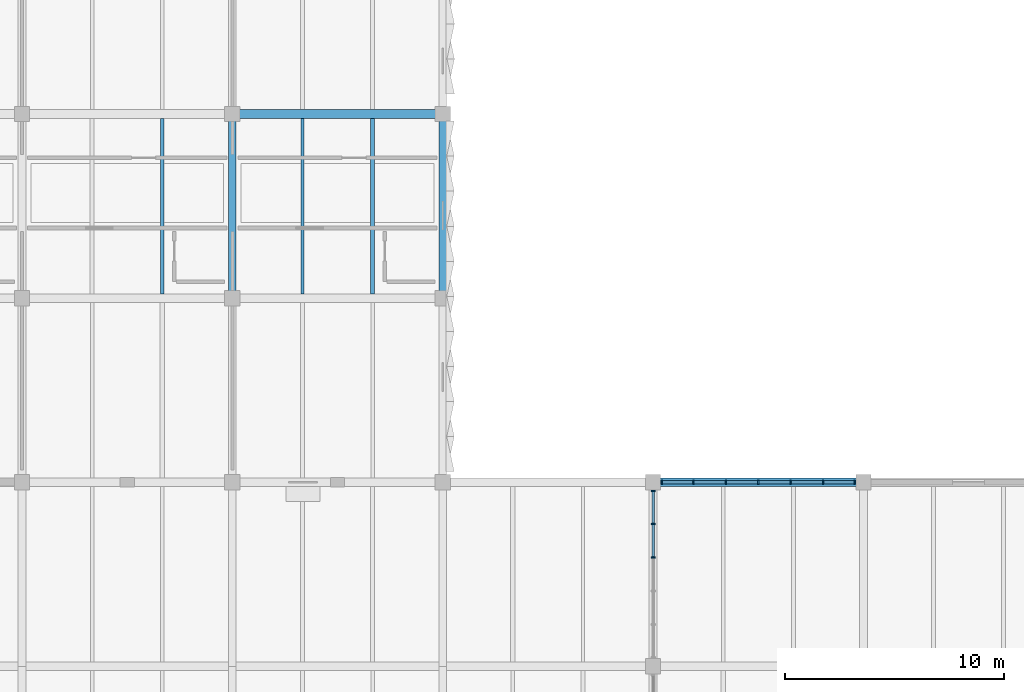
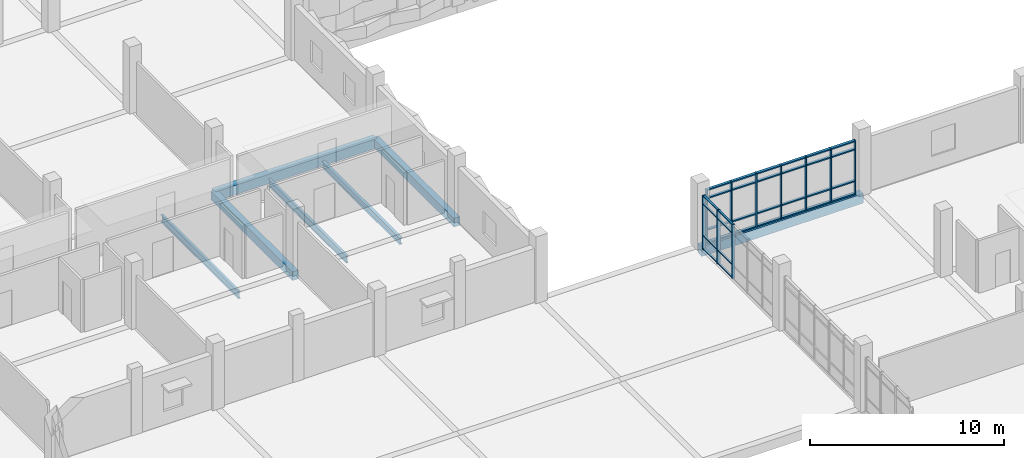
# One storey, part 22 of 57: 42 members, 7 beams, 2 elements without a shape of their own.
"""IFC4 building model written with IfcOpenShell, lengths in metres."""

from ifc_helpers import new_model, si_unit, direction, frame, origin, origin_2d, place, context, subcontext, project, spatial, rectangle, i_section, extrude, material, material_profile, profile_set, type_object, element, aggregate, save


model = new_model("IFC4")

# Units and contexts
model_context = context("Model", 3, precision=1e-05, world=origin(), true_north=direction((0.0, 1.0)))
body_context = subcontext(model_context, "Body", "Model", "MODEL_VIEW")
ifc_project = project(units=[si_unit("LENGTHUNIT", "METRE"), si_unit("AREAUNIT", "SQUARE_METRE"), si_unit("VOLUMEUNIT", "CUBIC_METRE"), si_unit("PLANEANGLEUNIT", "RADIAN"), si_unit("MASSUNIT", "GRAM", prefix="KILO")], contexts=[model_context])

# Site, building, storey
site_placement = place(None, origin())
site = spatial("IfcSite", under=ifc_project, at=site_placement, CompositionType="ELEMENT")
building_placement = place(site_placement, origin())
building = spatial("IfcBuilding", under=site, at=building_placement, Name="Oolite Switchyard Hospital", CompositionType="ELEMENT")
storey_placement = place(building_placement, frame((0.0, 0.0, 17.800048828125)))
storey = spatial("IfcBuildingStorey", under=building, at=storey_placement, Name="L04", CompositionType="ELEMENT", Elevation=17.800048828125)

# Beams
ifc_material_1 = material(Name="Concrete C40/50", Category="concrete")
ifc_material_profile_1 = material_profile(ifc_material_1, rectangle(XDim=0.35009765625, YDim=0.550048828125, at=origin_2d()), Name="RCB350X550")
ifc_profile_set_1 = profile_set([ifc_material_profile_1], Name="Concrete C40/50")
beam_type_1 = type_object("IfcBeamType", Name="BM-RC350X550", PredefinedType="BEAM", material=ifc_profile_set_1)
for number, where, z_axis, x_axis, name in (
    (1, (163.199951171875, 84.0, -0.275146484375), (0.0, 1.0, 0.0), (-1.0, 0.0, 0.0), "L04 Y-Girder 3022"),
    (2, (172.800048828125, 84.0, -0.275146484375), (0.0, 1.0, 0.0), (-1.0, 0.0, 0.0), "L04 Y-Girder 3033"),
):
    element("IfcBeam", number, at=place(storey_placement, frame(where, z_axis=z_axis, x_axis=x_axis)), inside=storey, type_object=beam_type_1, Name=name, PredefinedType="BEAM", context=body_context, shape_type="SweptSolid", body=[
        extrude(rectangle(XDim=0.35009765625, YDim=0.550048828125, at=origin_2d()), origin(), (0.0, 0.0, 1.0), 8.39990234375),
    ])
ifc_material_profile_2 = material_profile(ifc_material_1, rectangle(XDim=0.39990234375, YDim=0.60009765625, at=origin_2d()), Name="RCB400X600")
ifc_profile_set_2 = profile_set([ifc_material_profile_2], Name="Concrete C40/50")
beam_type_2 = type_object("IfcBeamType", Name="BM-RC400X600", PredefinedType="BEAM", material=ifc_profile_set_2)
for number, where, z_axis, x_axis, name in (
    (3, (182.39990234375, 75.60009765625, -0.300048828125), (1.0, 0.0, 0.0), (0.0, 1.0, 0.0), "L04 X-Girder 2829"),
    (4, (163.199951171875, 92.39990234375, -0.300048828125), (1.0, 0.0, 0.0), (0.0, 1.0, 0.0), "L04 X-Girder 2857"),
):
    element("IfcBeam", number, at=place(storey_placement, frame(where, z_axis=z_axis, x_axis=x_axis)), inside=storey, type_object=beam_type_2, Name=name, PredefinedType="BEAM", context=body_context, shape_type="SweptSolid", body=[
        extrude(rectangle(XDim=0.39990234375, YDim=0.60009765625, at=origin_2d()), origin(), (0.0, 0.0, 1.0), 9.60009765625),
    ])
ifc_material_2 = material(Name="Steel ASTM A992 Grade 50", Category="steel")
ifc_material_profile_3 = material_profile(ifc_material_2, i_section(OverallWidth=0.179931640625, OverallDepth=0.4130859375, WebThickness=0.010009765625, FlangeThickness=0.01611328125, at=origin_2d()), Name="W16X50")
ifc_profile_set_3 = profile_set([ifc_material_profile_3], Name="Steel ASTM A992 Grade 50")
beam_type_3 = type_object("IfcBeamType", Name="BM-W16X50", PredefinedType="JOIST", material=ifc_profile_set_3)
beam_placement = place(storey_placement, frame((169.60009765625, 84.199951171875, -0.48095703125), z_axis=(0.0, 1.0, 0.0), x_axis=(-1.0, 0.0, 0.0)))
element("IfcBeam", 5, at=beam_placement, inside=storey, type_object=beam_type_3, Name="L04 Secondary Steel Joist 3246", PredefinedType="JOIST", context=body_context, shape_type="SweptSolid", body=[
    extrude(i_section(OverallWidth=0.179931640625, OverallDepth=0.4130859375, WebThickness=0.010009765625, FlangeThickness=0.01611328125, at=origin_2d()), origin(), (0.0, 0.0, 1.0), 8.0),
])
ifc_material_profile_4 = material_profile(ifc_material_2, i_section(OverallWidth=0.153076171875, OverallDepth=0.455078125, WebThickness=0.008056640625, FlangeThickness=0.012939453125, at=origin_2d()), Name="W18X40")
ifc_profile_set_4 = profile_set([ifc_material_profile_4], Name="Steel ASTM A992 Grade 50")
beam_type_4 = type_object("IfcBeamType", Name="BM-W18X40", PredefinedType="JOIST", material=ifc_profile_set_4)
for number, where, z_axis, x_axis, name in (
    (6, (160.0, 84.199951171875, -0.501953125), (0.0, 1.0, 0.0), (-1.0, 0.0, 0.0), "L04 Secondary Steel Joist 3226"),
    (7, (166.39990234375, 84.199951171875, -0.501953125), (0.0, 1.0, 0.0), (-1.0, 0.0, 0.0), "L04 Secondary Steel Joist 3245"),
):
    element("IfcBeam", number, at=place(storey_placement, frame(where, z_axis=z_axis, x_axis=x_axis)), inside=storey, type_object=beam_type_4, Name=name, PredefinedType="JOIST", context=body_context, shape_type="SweptSolid", body=[
        extrude(i_section(OverallWidth=0.153076171875, OverallDepth=0.455078125, WebThickness=0.008056640625, FlangeThickness=0.012939453125, at=origin_2d()), origin(), (0.0, 0.0, 1.0), 8.0),
    ])

# Curtain wall, members
ifc_material_3 = material(Name="Thermally broken aluminum frame with laminated impact glazing", Category="aluminium")
curtain_wall_type_1 = type_object("IfcCurtainWallType", Name="CW-UNIT-96X42", PredefinedType="USERDEFINED", material=ifc_material_3)
curtain_wall_1_placement = place(storey_placement, origin())
curtain_wall_1 = element("IfcCurtainWall", 8, at=curtain_wall_1_placement, inside=storey, type_object=curtain_wall_type_1, Name="L04 Unitised Curtain Wall 363", ObjectType="UNITISED", PredefinedType="USERDEFINED")
ifc_material_4 = material(Name="Aluminium 6063-T6", Category="aluminium")
ifc_material_profile_5 = material_profile(ifc_material_4, rectangle(XDim=0.179931640625, YDim=0.070068359375, at=origin_2d()), Name="CWM70X180")
ifc_profile_set_5 = profile_set([ifc_material_profile_5], Name="Aluminium 6063-T6")
member_type_1 = type_object("IfcMemberType", Name="CW-MUL-220", PredefinedType="MULLION", material=ifc_profile_set_5)
member_1_placement = place(storey_placement, frame((182.800048828125, 75.60009765625, 0.0), z_axis=(0.0, 0.0, 1.0), x_axis=(0.0, 1.0, 0.0)))
member_1 = element("IfcMember", 9, at=member_1_placement, type_object=member_type_1, Name="CW-05 mullion 1", PredefinedType="MULLION", context=body_context, shape_type="SweptSolid", body=[
    extrude(rectangle(XDim=0.179931640625, YDim=0.070068359375, at=origin_2d()), origin(), (0.0, 0.0, 1.0), 3.389892578125),
])
member_2_placement = place(storey_placement, frame((184.243408203125, 75.60009765625, 0.0), z_axis=(0.0, 0.0, 1.0), x_axis=(0.0, 1.0, 0.0)))
member_2 = element("IfcMember", 10, at=member_2_placement, type_object=member_type_1, Name="CW-05 mullion 2", PredefinedType="MULLION", context=body_context, shape_type="SweptSolid", body=[
    extrude(rectangle(XDim=0.179931640625, YDim=0.070068359375, at=origin_2d()), origin(), (0.0, 0.0, 1.0), 3.389892578125),
])
member_3_placement = place(storey_placement, frame((185.7216796875, 75.60009765625, 0.0), z_axis=(0.0, 0.0, 1.0), x_axis=(0.0, 1.0, 0.0)))
member_3 = element("IfcMember", 11, at=member_3_placement, type_object=member_type_1, Name="CW-05 mullion 3", PredefinedType="MULLION", context=body_context, shape_type="SweptSolid", body=[
    extrude(rectangle(XDim=0.179931640625, YDim=0.070068359375, at=origin_2d()), origin(), (0.0, 0.0, 1.0), 3.389892578125),
])
member_4_placement = place(storey_placement, frame((187.199951171875, 75.60009765625, 0.0), z_axis=(0.0, 0.0, 1.0), x_axis=(0.0, 1.0, 0.0)))
member_4 = element("IfcMember", 12, at=member_4_placement, type_object=member_type_1, Name="CW-05 mullion 4", PredefinedType="MULLION", context=body_context, shape_type="SweptSolid", body=[
    extrude(rectangle(XDim=0.179931640625, YDim=0.070068359375, at=origin_2d()), origin(), (0.0, 0.0, 1.0), 3.389892578125),
])
member_5_placement = place(storey_placement, frame((188.67822265625, 75.60009765625, 0.0), z_axis=(0.0, 0.0, 1.0), x_axis=(0.0, 1.0, 0.0)))
member_5 = element("IfcMember", 13, at=member_5_placement, type_object=member_type_1, Name="CW-05 mullion 5", PredefinedType="MULLION", context=body_context, shape_type="SweptSolid", body=[
    extrude(rectangle(XDim=0.179931640625, YDim=0.070068359375, at=origin_2d()), origin(), (0.0, 0.0, 1.0), 3.389892578125),
])
member_6_placement = place(storey_placement, frame((190.15673828125, 75.60009765625, 0.0), z_axis=(0.0, 0.0, 1.0), x_axis=(0.0, 1.0, 0.0)))
member_6 = element("IfcMember", 14, at=member_6_placement, type_object=member_type_1, Name="CW-05 mullion 6", PredefinedType="MULLION", context=body_context, shape_type="SweptSolid", body=[
    extrude(rectangle(XDim=0.179931640625, YDim=0.070068359375, at=origin_2d()), origin(), (0.0, 0.0, 1.0), 3.389892578125),
])
member_7_placement = place(storey_placement, frame((191.60009765625, 75.60009765625, 0.0), z_axis=(0.0, 0.0, 1.0), x_axis=(0.0, 1.0, 0.0)))
member_7 = element("IfcMember", 15, at=member_7_placement, type_object=member_type_1, Name="CW-05 mullion 7", PredefinedType="MULLION", context=body_context, shape_type="SweptSolid", body=[
    extrude(rectangle(XDim=0.179931640625, YDim=0.070068359375, at=origin_2d()), origin(), (0.0, 0.0, 1.0), 3.389892578125),
])

curtain_wall_type_2 = type_object("IfcCurtainWallType", Name="CW-UNIT-84X42", PredefinedType="USERDEFINED", material=ifc_material_3)
curtain_wall_2_placement = place(storey_placement, origin())
curtain_wall_2 = element("IfcCurtainWall", 16, at=curtain_wall_2_placement, inside=storey, type_object=curtain_wall_type_2, Name="L04 Unitised Curtain Wall 378", ObjectType="UNITISED", PredefinedType="USERDEFINED")
member_8_placement = place(storey_placement, frame((182.39990234375, 72.1669921875, 0.0), z_axis=(0.0, 0.0, 1.0), x_axis=(-1.0, 0.0, 0.0)))
member_8 = element("IfcMember", 17, at=member_8_placement, type_object=member_type_1, Name="CW-10 mullion 4", PredefinedType="MULLION", context=body_context, shape_type="SweptSolid", body=[
    extrude(rectangle(XDim=0.179931640625, YDim=0.070068359375, at=origin_2d()), origin(), (0.0, 0.0, 1.0), 3.389892578125),
])
member_9_placement = place(storey_placement, frame((182.39990234375, 73.700927734375, 0.0), z_axis=(0.0, 0.0, 1.0), x_axis=(-1.0, 0.0, 0.0)))
member_9 = element("IfcMember", 18, at=member_9_placement, type_object=member_type_1, Name="CW-10 mullion 5", PredefinedType="MULLION", context=body_context, shape_type="SweptSolid", body=[
    extrude(rectangle(XDim=0.179931640625, YDim=0.070068359375, at=origin_2d()), origin(), (0.0, 0.0, 1.0), 3.389892578125),
])
member_10_placement = place(storey_placement, frame((182.39990234375, 75.199951171875, 0.0), z_axis=(0.0, 0.0, 1.0), x_axis=(-1.0, 0.0, 0.0)))
member_10 = element("IfcMember", 19, at=member_10_placement, type_object=member_type_1, Name="CW-10 mullion 6", PredefinedType="MULLION", context=body_context, shape_type="SweptSolid", body=[
    extrude(rectangle(XDim=0.179931640625, YDim=0.070068359375, at=origin_2d()), origin(), (0.0, 0.0, 1.0), 3.389892578125),
])
ifc_material_profile_6 = material_profile(ifc_material_4, rectangle(XDim=0.1201171875, YDim=0.06005859375, at=origin_2d()), Name="CWT60X120")
ifc_profile_set_6 = profile_set([ifc_material_profile_6], Name="Aluminium 6063-T6")
member_type_2 = type_object("IfcMemberType", Name="CW-TRN-150", PredefinedType="USERDEFINED", material=ifc_profile_set_6)
member_11_placement = place(storey_placement, frame((182.39990234375, 72.201904296875, 0.030029296875), z_axis=(0.0, 1.0, 0.0), x_axis=(-1.0, 0.0, 0.0)))
member_11 = element("IfcMember", 20, at=member_11_placement, type_object=member_type_2, Name="CW-10 transom 4.1", ObjectType="TRANSOM", PredefinedType="USERDEFINED", context=body_context, shape_type="SweptSolid", body=[
    extrude(rectangle(XDim=0.1201171875, YDim=0.06005859375, at=origin_2d()), origin(), (0.0, 0.0, 1.0), 1.464111328125),
])
member_12_placement = place(storey_placement, frame((182.39990234375, 72.201904296875, 0.849853515625), z_axis=(0.0, 1.0, 0.0), x_axis=(-1.0, 0.0, 0.0)))
member_12 = element("IfcMember", 21, at=member_12_placement, type_object=member_type_2, Name="CW-10 transom 4.2", ObjectType="TRANSOM", PredefinedType="USERDEFINED", context=body_context, shape_type="SweptSolid", body=[
    extrude(rectangle(XDim=0.1201171875, YDim=0.06005859375, at=origin_2d()), origin(), (0.0, 0.0, 1.0), 1.464111328125),
])
member_13_placement = place(storey_placement, frame((182.39990234375, 72.201904296875, 2.83984375), z_axis=(0.0, 1.0, 0.0), x_axis=(-1.0, 0.0, 0.0)))
member_13 = element("IfcMember", 22, at=member_13_placement, type_object=member_type_2, Name="CW-10 transom 4.3", ObjectType="TRANSOM", PredefinedType="USERDEFINED", context=body_context, shape_type="SweptSolid", body=[
    extrude(rectangle(XDim=0.1201171875, YDim=0.06005859375, at=origin_2d()), origin(), (0.0, 0.0, 1.0), 1.464111328125),
])
member_14_placement = place(storey_placement, frame((182.39990234375, 72.201904296875, 3.35986328125), z_axis=(0.0, 1.0, 0.0), x_axis=(-1.0, 0.0, 0.0)))
member_14 = element("IfcMember", 23, at=member_14_placement, type_object=member_type_2, Name="CW-10 transom 4.4", ObjectType="TRANSOM", PredefinedType="USERDEFINED", context=body_context, shape_type="SweptSolid", body=[
    extrude(rectangle(XDim=0.1201171875, YDim=0.06005859375, at=origin_2d()), origin(), (0.0, 0.0, 1.0), 1.464111328125),
])
member_15_placement = place(storey_placement, frame((182.39990234375, 73.736083984375, 0.030029296875), z_axis=(0.0, 1.0, 0.0), x_axis=(-1.0, 0.0, 0.0)))
member_15 = element("IfcMember", 24, at=member_15_placement, type_object=member_type_2, Name="CW-10 transom 5.1", ObjectType="TRANSOM", PredefinedType="USERDEFINED", context=body_context, shape_type="SweptSolid", body=[
    extrude(rectangle(XDim=0.1201171875, YDim=0.06005859375, at=origin_2d()), origin(), (0.0, 0.0, 1.0), 1.428955078125),
])
member_16_placement = place(storey_placement, frame((182.39990234375, 73.736083984375, 0.849853515625), z_axis=(0.0, 1.0, 0.0), x_axis=(-1.0, 0.0, 0.0)))
member_16 = element("IfcMember", 25, at=member_16_placement, type_object=member_type_2, Name="CW-10 transom 5.2", ObjectType="TRANSOM", PredefinedType="USERDEFINED", context=body_context, shape_type="SweptSolid", body=[
    extrude(rectangle(XDim=0.1201171875, YDim=0.06005859375, at=origin_2d()), origin(), (0.0, 0.0, 1.0), 1.428955078125),
])
member_17_placement = place(storey_placement, frame((182.39990234375, 73.736083984375, 2.83984375), z_axis=(0.0, 1.0, 0.0), x_axis=(-1.0, 0.0, 0.0)))
member_17 = element("IfcMember", 26, at=member_17_placement, type_object=member_type_2, Name="CW-10 transom 5.3", ObjectType="TRANSOM", PredefinedType="USERDEFINED", context=body_context, shape_type="SweptSolid", body=[
    extrude(rectangle(XDim=0.1201171875, YDim=0.06005859375, at=origin_2d()), origin(), (0.0, 0.0, 1.0), 1.428955078125),
])
member_18_placement = place(storey_placement, frame((182.39990234375, 73.736083984375, 3.35986328125), z_axis=(0.0, 1.0, 0.0), x_axis=(-1.0, 0.0, 0.0)))
member_18 = element("IfcMember", 27, at=member_18_placement, type_object=member_type_2, Name="CW-10 transom 5.4", ObjectType="TRANSOM", PredefinedType="USERDEFINED", context=body_context, shape_type="SweptSolid", body=[
    extrude(rectangle(XDim=0.1201171875, YDim=0.06005859375, at=origin_2d()), origin(), (0.0, 0.0, 1.0), 1.428955078125),
])
aggregate(curtain_wall_2, [member_8, member_9, member_10, member_11, member_12, member_13, member_14, member_15, member_16, member_17, member_18])

# Member
ifc_material_profile_7 = material_profile(ifc_material_4, rectangle(XDim=0.159912109375, YDim=0.074951171875, at=origin_2d()), Name="CWT75X160")
ifc_profile_set_7 = profile_set([ifc_material_profile_7], Name="Aluminium 6063-T6")
member_type_3 = type_object("IfcMemberType", Name="CW-TRN-180", PredefinedType="USERDEFINED", material=ifc_profile_set_7)
member_19_placement = place(storey_placement, frame((182.8349609375, 75.60009765625, 0.037353515625), z_axis=(1.0, 0.0, 0.0), x_axis=(0.0, 1.0, 0.0)))
member_19 = element("IfcMember", 28, at=member_19_placement, type_object=member_type_3, Name="CW-05 transom 1.1", ObjectType="TRANSOM", PredefinedType="USERDEFINED", context=body_context, shape_type="SweptSolid", body=[
    extrude(rectangle(XDim=0.159912109375, YDim=0.074951171875, at=origin_2d()), origin(), (0.0, 0.0, 1.0), 1.373291015625),
])

member_20_placement = place(storey_placement, frame((182.8349609375, 75.60009765625, 0.849853515625), z_axis=(1.0, 0.0, 0.0), x_axis=(0.0, 1.0, 0.0)))
member_20 = element("IfcMember", 29, at=member_20_placement, type_object=member_type_3, Name="CW-05 transom 1.2", ObjectType="TRANSOM", PredefinedType="USERDEFINED", context=body_context, shape_type="SweptSolid", body=[
    extrude(rectangle(XDim=0.159912109375, YDim=0.074951171875, at=origin_2d()), origin(), (0.0, 0.0, 1.0), 1.373291015625),
])

member_21_placement = place(storey_placement, frame((182.8349609375, 75.60009765625, 2.83984375), z_axis=(1.0, 0.0, 0.0), x_axis=(0.0, 1.0, 0.0)))
member_21 = element("IfcMember", 30, at=member_21_placement, type_object=member_type_3, Name="CW-05 transom 1.3", ObjectType="TRANSOM", PredefinedType="USERDEFINED", context=body_context, shape_type="SweptSolid", body=[
    extrude(rectangle(XDim=0.159912109375, YDim=0.074951171875, at=origin_2d()), origin(), (0.0, 0.0, 1.0), 1.373291015625),
])

member_22_placement = place(storey_placement, frame((182.8349609375, 75.60009765625, 3.3525390625), z_axis=(1.0, 0.0, 0.0), x_axis=(0.0, 1.0, 0.0)))
member_22 = element("IfcMember", 31, at=member_22_placement, type_object=member_type_3, Name="CW-05 transom 1.4", ObjectType="TRANSOM", PredefinedType="USERDEFINED", context=body_context, shape_type="SweptSolid", body=[
    extrude(rectangle(XDim=0.159912109375, YDim=0.074951171875, at=origin_2d()), origin(), (0.0, 0.0, 1.0), 1.373291015625),
])

member_23_placement = place(storey_placement, frame((184.2783203125, 75.60009765625, 0.037353515625), z_axis=(1.0, 0.0, 0.0), x_axis=(0.0, 1.0, 0.0)))
member_23 = element("IfcMember", 32, at=member_23_placement, type_object=member_type_3, Name="CW-05 transom 2.1", ObjectType="TRANSOM", PredefinedType="USERDEFINED", context=body_context, shape_type="SweptSolid", body=[
    extrude(rectangle(XDim=0.159912109375, YDim=0.074951171875, at=origin_2d()), origin(), (0.0, 0.0, 1.0), 1.408447265625),
])

member_24_placement = place(storey_placement, frame((184.2783203125, 75.60009765625, 0.849853515625), z_axis=(1.0, 0.0, 0.0), x_axis=(0.0, 1.0, 0.0)))
member_24 = element("IfcMember", 33, at=member_24_placement, type_object=member_type_3, Name="CW-05 transom 2.2", ObjectType="TRANSOM", PredefinedType="USERDEFINED", context=body_context, shape_type="SweptSolid", body=[
    extrude(rectangle(XDim=0.159912109375, YDim=0.074951171875, at=origin_2d()), origin(), (0.0, 0.0, 1.0), 1.408447265625),
])

member_25_placement = place(storey_placement, frame((184.2783203125, 75.60009765625, 2.83984375), z_axis=(1.0, 0.0, 0.0), x_axis=(0.0, 1.0, 0.0)))
member_25 = element("IfcMember", 34, at=member_25_placement, type_object=member_type_3, Name="CW-05 transom 2.3", ObjectType="TRANSOM", PredefinedType="USERDEFINED", context=body_context, shape_type="SweptSolid", body=[
    extrude(rectangle(XDim=0.159912109375, YDim=0.074951171875, at=origin_2d()), origin(), (0.0, 0.0, 1.0), 1.408447265625),
])

member_26_placement = place(storey_placement, frame((184.2783203125, 75.60009765625, 3.3525390625), z_axis=(1.0, 0.0, 0.0), x_axis=(0.0, 1.0, 0.0)))
member_26 = element("IfcMember", 35, at=member_26_placement, type_object=member_type_3, Name="CW-05 transom 2.4", ObjectType="TRANSOM", PredefinedType="USERDEFINED", context=body_context, shape_type="SweptSolid", body=[
    extrude(rectangle(XDim=0.159912109375, YDim=0.074951171875, at=origin_2d()), origin(), (0.0, 0.0, 1.0), 1.408447265625),
])

member_27_placement = place(storey_placement, frame((185.756591796875, 75.60009765625, 0.037353515625), z_axis=(1.0, 0.0, 0.0), x_axis=(0.0, 1.0, 0.0)))
member_27 = element("IfcMember", 36, at=member_27_placement, type_object=member_type_3, Name="CW-05 transom 3.1", ObjectType="TRANSOM", PredefinedType="USERDEFINED", context=body_context, shape_type="SweptSolid", body=[
    extrude(rectangle(XDim=0.159912109375, YDim=0.074951171875, at=origin_2d()), origin(), (0.0, 0.0, 1.0), 1.408447265625),
])

member_28_placement = place(storey_placement, frame((185.756591796875, 75.60009765625, 0.849853515625), z_axis=(1.0, 0.0, 0.0), x_axis=(0.0, 1.0, 0.0)))
member_28 = element("IfcMember", 37, at=member_28_placement, type_object=member_type_3, Name="CW-05 transom 3.2", ObjectType="TRANSOM", PredefinedType="USERDEFINED", context=body_context, shape_type="SweptSolid", body=[
    extrude(rectangle(XDim=0.159912109375, YDim=0.074951171875, at=origin_2d()), origin(), (0.0, 0.0, 1.0), 1.408447265625),
])

member_29_placement = place(storey_placement, frame((185.756591796875, 75.60009765625, 2.83984375), z_axis=(1.0, 0.0, 0.0), x_axis=(0.0, 1.0, 0.0)))
member_29 = element("IfcMember", 38, at=member_29_placement, type_object=member_type_3, Name="CW-05 transom 3.3", ObjectType="TRANSOM", PredefinedType="USERDEFINED", context=body_context, shape_type="SweptSolid", body=[
    extrude(rectangle(XDim=0.159912109375, YDim=0.074951171875, at=origin_2d()), origin(), (0.0, 0.0, 1.0), 1.408447265625),
])

member_30_placement = place(storey_placement, frame((185.756591796875, 75.60009765625, 3.3525390625), z_axis=(1.0, 0.0, 0.0), x_axis=(0.0, 1.0, 0.0)))
member_30 = element("IfcMember", 39, at=member_30_placement, type_object=member_type_3, Name="CW-05 transom 3.4", ObjectType="TRANSOM", PredefinedType="USERDEFINED", context=body_context, shape_type="SweptSolid", body=[
    extrude(rectangle(XDim=0.159912109375, YDim=0.074951171875, at=origin_2d()), origin(), (0.0, 0.0, 1.0), 1.408447265625),
])

member_31_placement = place(storey_placement, frame((187.235107421875, 75.60009765625, 0.037353515625), z_axis=(1.0, 0.0, 0.0), x_axis=(0.0, 1.0, 0.0)))
member_31 = element("IfcMember", 40, at=member_31_placement, type_object=member_type_3, Name="CW-05 transom 4.1", ObjectType="TRANSOM", PredefinedType="USERDEFINED", context=body_context, shape_type="SweptSolid", body=[
    extrude(rectangle(XDim=0.159912109375, YDim=0.074951171875, at=origin_2d()), origin(), (0.0, 0.0, 1.0), 1.408203125),
])

member_32_placement = place(storey_placement, frame((187.235107421875, 75.60009765625, 0.849853515625), z_axis=(1.0, 0.0, 0.0), x_axis=(0.0, 1.0, 0.0)))
member_32 = element("IfcMember", 41, at=member_32_placement, type_object=member_type_3, Name="CW-05 transom 4.2", ObjectType="TRANSOM", PredefinedType="USERDEFINED", context=body_context, shape_type="SweptSolid", body=[
    extrude(rectangle(XDim=0.159912109375, YDim=0.074951171875, at=origin_2d()), origin(), (0.0, 0.0, 1.0), 1.408203125),
])

member_33_placement = place(storey_placement, frame((187.235107421875, 75.60009765625, 2.83984375), z_axis=(1.0, 0.0, 0.0), x_axis=(0.0, 1.0, 0.0)))
member_33 = element("IfcMember", 42, at=member_33_placement, type_object=member_type_3, Name="CW-05 transom 4.3", ObjectType="TRANSOM", PredefinedType="USERDEFINED", context=body_context, shape_type="SweptSolid", body=[
    extrude(rectangle(XDim=0.159912109375, YDim=0.074951171875, at=origin_2d()), origin(), (0.0, 0.0, 1.0), 1.408203125),
])

member_34_placement = place(storey_placement, frame((187.235107421875, 75.60009765625, 3.3525390625), z_axis=(1.0, 0.0, 0.0), x_axis=(0.0, 1.0, 0.0)))
member_34 = element("IfcMember", 43, at=member_34_placement, type_object=member_type_3, Name="CW-05 transom 4.4", ObjectType="TRANSOM", PredefinedType="USERDEFINED", context=body_context, shape_type="SweptSolid", body=[
    extrude(rectangle(XDim=0.159912109375, YDim=0.074951171875, at=origin_2d()), origin(), (0.0, 0.0, 1.0), 1.408203125),
])

member_35_placement = place(storey_placement, frame((188.71337890625, 75.60009765625, 0.037353515625), z_axis=(1.0, 0.0, 0.0), x_axis=(0.0, 1.0, 0.0)))
member_35 = element("IfcMember", 44, at=member_35_placement, type_object=member_type_3, Name="CW-05 transom 5.1", ObjectType="TRANSOM", PredefinedType="USERDEFINED", context=body_context, shape_type="SweptSolid", body=[
    extrude(rectangle(XDim=0.159912109375, YDim=0.074951171875, at=origin_2d()), origin(), (0.0, 0.0, 1.0), 1.408203125),
])

member_36_placement = place(storey_placement, frame((188.71337890625, 75.60009765625, 0.849853515625), z_axis=(1.0, 0.0, 0.0), x_axis=(0.0, 1.0, 0.0)))
member_36 = element("IfcMember", 45, at=member_36_placement, type_object=member_type_3, Name="CW-05 transom 5.2", ObjectType="TRANSOM", PredefinedType="USERDEFINED", context=body_context, shape_type="SweptSolid", body=[
    extrude(rectangle(XDim=0.159912109375, YDim=0.074951171875, at=origin_2d()), origin(), (0.0, 0.0, 1.0), 1.408203125),
])

member_37_placement = place(storey_placement, frame((188.71337890625, 75.60009765625, 2.83984375), z_axis=(1.0, 0.0, 0.0), x_axis=(0.0, 1.0, 0.0)))
member_37 = element("IfcMember", 46, at=member_37_placement, type_object=member_type_3, Name="CW-05 transom 5.3", ObjectType="TRANSOM", PredefinedType="USERDEFINED", context=body_context, shape_type="SweptSolid", body=[
    extrude(rectangle(XDim=0.159912109375, YDim=0.074951171875, at=origin_2d()), origin(), (0.0, 0.0, 1.0), 1.408203125),
])

member_38_placement = place(storey_placement, frame((188.71337890625, 75.60009765625, 3.3525390625), z_axis=(1.0, 0.0, 0.0), x_axis=(0.0, 1.0, 0.0)))
member_38 = element("IfcMember", 47, at=member_38_placement, type_object=member_type_3, Name="CW-05 transom 5.4", ObjectType="TRANSOM", PredefinedType="USERDEFINED", context=body_context, shape_type="SweptSolid", body=[
    extrude(rectangle(XDim=0.159912109375, YDim=0.074951171875, at=origin_2d()), origin(), (0.0, 0.0, 1.0), 1.408203125),
])

member_39_placement = place(storey_placement, frame((190.191650390625, 75.60009765625, 0.037353515625), z_axis=(1.0, 0.0, 0.0), x_axis=(0.0, 1.0, 0.0)))
member_39 = element("IfcMember", 48, at=member_39_placement, type_object=member_type_3, Name="CW-05 transom 6.1", ObjectType="TRANSOM", PredefinedType="USERDEFINED", context=body_context, shape_type="SweptSolid", body=[
    extrude(rectangle(XDim=0.159912109375, YDim=0.074951171875, at=origin_2d()), origin(), (0.0, 0.0, 1.0), 1.373291015625),
])

member_40_placement = place(storey_placement, frame((190.191650390625, 75.60009765625, 0.849853515625), z_axis=(1.0, 0.0, 0.0), x_axis=(0.0, 1.0, 0.0)))
member_40 = element("IfcMember", 49, at=member_40_placement, type_object=member_type_3, Name="CW-05 transom 6.2", ObjectType="TRANSOM", PredefinedType="USERDEFINED", context=body_context, shape_type="SweptSolid", body=[
    extrude(rectangle(XDim=0.159912109375, YDim=0.074951171875, at=origin_2d()), origin(), (0.0, 0.0, 1.0), 1.373291015625),
])

member_41_placement = place(storey_placement, frame((190.191650390625, 75.60009765625, 2.83984375), z_axis=(1.0, 0.0, 0.0), x_axis=(0.0, 1.0, 0.0)))
member_41 = element("IfcMember", 50, at=member_41_placement, type_object=member_type_3, Name="CW-05 transom 6.3", ObjectType="TRANSOM", PredefinedType="USERDEFINED", context=body_context, shape_type="SweptSolid", body=[
    extrude(rectangle(XDim=0.159912109375, YDim=0.074951171875, at=origin_2d()), origin(), (0.0, 0.0, 1.0), 1.373291015625),
])

member_42_placement = place(storey_placement, frame((190.191650390625, 75.60009765625, 3.3525390625), z_axis=(1.0, 0.0, 0.0), x_axis=(0.0, 1.0, 0.0)))
member_42 = element("IfcMember", 51, at=member_42_placement, type_object=member_type_3, Name="CW-05 transom 6.4", ObjectType="TRANSOM", PredefinedType="USERDEFINED", context=body_context, shape_type="SweptSolid", body=[
    extrude(rectangle(XDim=0.159912109375, YDim=0.074951171875, at=origin_2d()), origin(), (0.0, 0.0, 1.0), 1.373291015625),
])

aggregate(curtain_wall_1, [member_1, member_2, member_3, member_4, member_5, member_6, member_7, member_19, member_20, member_21, member_22, member_23, member_24, member_25, member_26, member_27, member_28, member_29, member_30, member_31, member_32, member_33, member_34, member_35, member_36, member_37, member_38, member_39, member_40, member_41, member_42])

save(model, "model.ifc")
